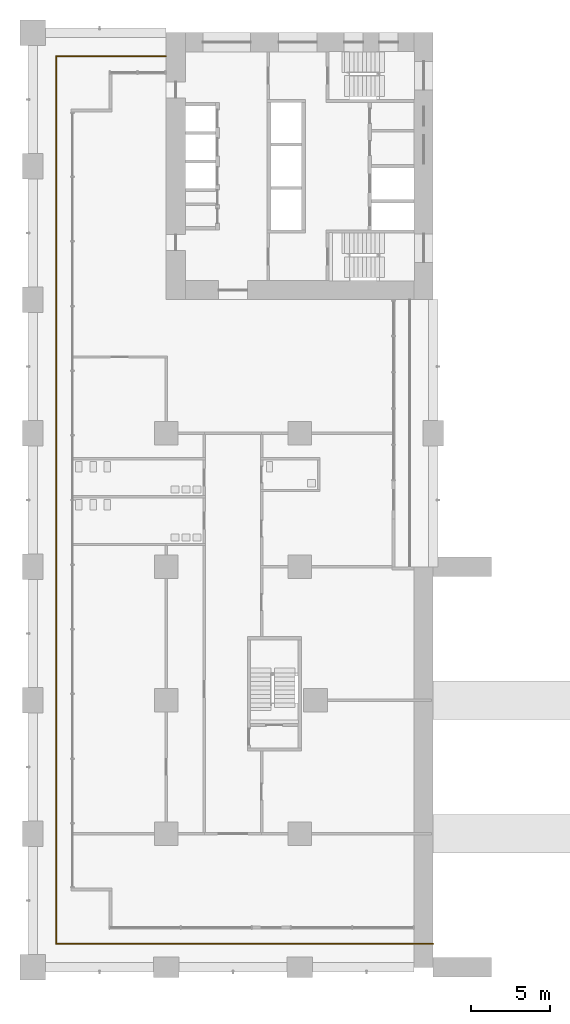
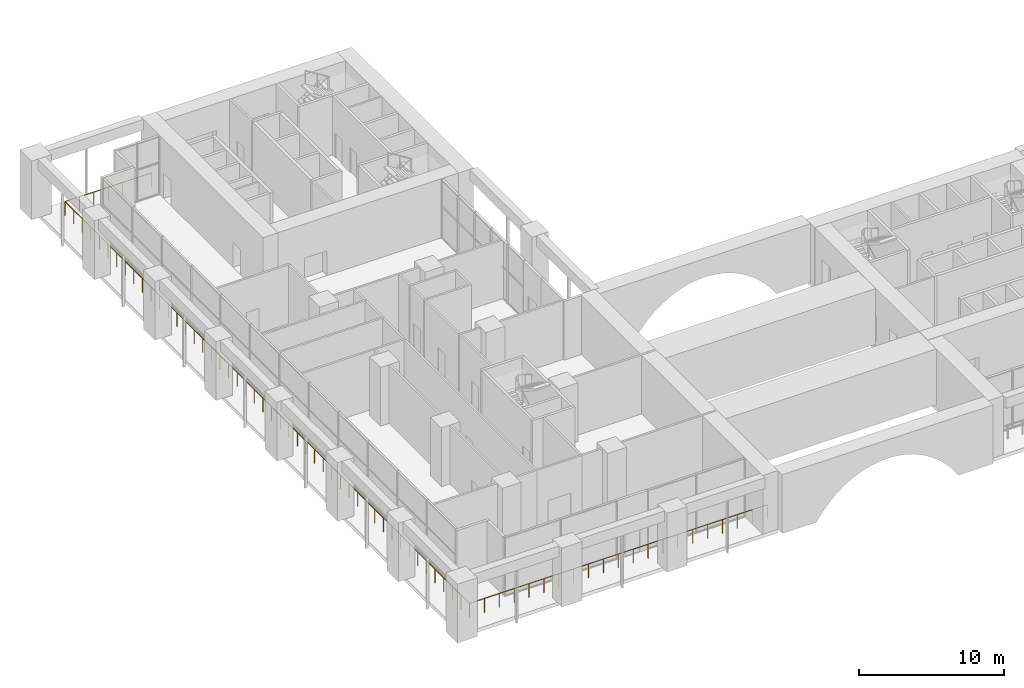
# One storey, part 20 of 26: 1 railing.
"""IFC4 building model written with IfcOpenShell, lengths in metres."""

from ifc_helpers import new_model, si_unit, direction, frame, origin, origin_2d, place, context, subcontext, project, spatial, circle, extrude, material, type_object, element, save


model = new_model("IFC4")

# Units and contexts
model_context = context("Model", 3, precision=1e-05, world=origin(), true_north=direction((0.0, 1.0)))
body_context = subcontext(model_context, "Body", "Model", "MODEL_VIEW")
ifc_project = project(units=[si_unit("LENGTHUNIT", "METRE"), si_unit("AREAUNIT", "SQUARE_METRE"), si_unit("VOLUMEUNIT", "CUBIC_METRE"), si_unit("PLANEANGLEUNIT", "RADIAN"), si_unit("MASSUNIT", "GRAM", prefix="KILO")], contexts=[model_context])

# Site, building, storey
site_placement = place(None, origin())
site = spatial("IfcSite", under=ifc_project, at=site_placement, CompositionType="ELEMENT")
building_placement = place(site_placement, origin())
building = spatial("IfcBuilding", under=site, at=building_placement, Name="Vermilion Gate Residences", CompositionType="ELEMENT")
storey_placement = place(building_placement, frame((0.0, 0.0, 9.0)))
storey = spatial("IfcBuildingStorey", under=building, at=storey_placement, Name="L01", CompositionType="ELEMENT", Elevation=9.0)

# Railing
ifc_material = material(Name="Stainless steel and toughened glass", Category="steel")
railing_type = type_object("IfcRailingType", Name="LOGGIA GUARD STEEL AND GLASS 1200", PredefinedType="GUARDRAIL", material=ifc_material)
railing_placement = place(storey_placement, frame((8.3779296875, 57.324951171875, 0.0)))
element("IfcRailing", 1, at=railing_placement, inside=storey, type_object=railing_type, Name="Loggia guard", PredefinedType="GUARDRAIL", context=body_context, shape_type="SweptSolid", body=[
    extrude(circle(Radius=0.030029296875, at=origin_2d()), frame((0.0, 0.0, 1.169921875), z_axis=(-1.0, 0.0, 0.0), x_axis=(0.0, -1.0, 0.0)), (0.0, 0.0, 1.0), 6.90283203125),
    extrude(circle(Radius=0.030029296875, at=origin_2d()), frame((-6.90283203125, 0.0, 1.169921875), z_axis=(0.0, -1.0, 0.0), x_axis=(1.0, 0.0, 0.0)), (0.0, 0.0, 1.0), 55.849853515625),
    extrude(circle(Radius=0.030029296875, at=origin_2d()), frame((-6.90283203125, -55.849853515625, 1.169921875), z_axis=(1.0, 0.0, 0.0), x_axis=(0.0, 1.0, 0.0)), (0.0, 0.0, 1.0), 23.724853515625),
    extrude(circle(Radius=0.02490234375, at=origin_2d()), origin(), (0.0, 0.0, 1.0), 1.139892578125),
    extrude(circle(Radius=0.02490234375, at=origin_2d()), frame((-1.150390625, 0.0, 0.0)), (0.0, 0.0, 1.0), 1.139892578125),
    extrude(circle(Radius=0.02490234375, at=origin_2d()), frame((-2.301025390625, 0.0, 0.0)), (0.0, 0.0, 1.0), 1.139892578125),
    extrude(circle(Radius=0.02490234375, at=origin_2d()), frame((-3.451416015625, 0.0, 0.0)), (0.0, 0.0, 1.0), 1.139892578125),
    extrude(circle(Radius=0.02490234375, at=origin_2d()), frame((-4.601806640625, 0.0, 0.0)), (0.0, 0.0, 1.0), 1.139892578125),
    extrude(circle(Radius=0.02490234375, at=origin_2d()), frame((-5.75244140625, 0.0, 0.0)), (0.0, 0.0, 1.0), 1.139892578125),
    extrude(circle(Radius=0.02490234375, at=origin_2d()), frame((-6.90283203125, 0.0, 0.0)), (0.0, 0.0, 1.0), 1.139892578125),
    extrude(circle(Radius=0.02490234375, at=origin_2d()), frame((-6.90283203125, -1.188232421875, 0.0)), (0.0, 0.0, 1.0), 1.139892578125),
    extrude(circle(Radius=0.02490234375, at=origin_2d()), frame((-6.90283203125, -2.376708984375, 0.0)), (0.0, 0.0, 1.0), 1.139892578125),
    extrude(circle(Radius=0.02490234375, at=origin_2d()), frame((-6.90283203125, -3.56494140625, 0.0)), (0.0, 0.0, 1.0), 1.139892578125),
    extrude(circle(Radius=0.02490234375, at=origin_2d()), frame((-6.90283203125, -4.753173828125, 0.0)), (0.0, 0.0, 1.0), 1.139892578125),
    extrude(circle(Radius=0.02490234375, at=origin_2d()), frame((-6.90283203125, -5.94140625, 0.0)), (0.0, 0.0, 1.0), 1.139892578125),
    extrude(circle(Radius=0.02490234375, at=origin_2d()), frame((-6.90283203125, -7.1298828125, 0.0)), (0.0, 0.0, 1.0), 1.139892578125),
    extrude(circle(Radius=0.02490234375, at=origin_2d()), frame((-6.90283203125, -8.318115234375, 0.0)), (0.0, 0.0, 1.0), 1.139892578125),
    extrude(circle(Radius=0.02490234375, at=origin_2d()), frame((-6.90283203125, -9.50634765625, 0.0)), (0.0, 0.0, 1.0), 1.139892578125),
    extrude(circle(Radius=0.02490234375, at=origin_2d()), frame((-6.90283203125, -10.694580078125, 0.0)), (0.0, 0.0, 1.0), 1.139892578125),
    extrude(circle(Radius=0.02490234375, at=origin_2d()), frame((-6.90283203125, -11.883056640625, 0.0)), (0.0, 0.0, 1.0), 1.139892578125),
    extrude(circle(Radius=0.02490234375, at=origin_2d()), frame((-6.90283203125, -13.0712890625, 0.0)), (0.0, 0.0, 1.0), 1.139892578125),
    extrude(circle(Radius=0.02490234375, at=origin_2d()), frame((-6.90283203125, -14.259521484375, 0.0)), (0.0, 0.0, 1.0), 1.139892578125),
    extrude(circle(Radius=0.02490234375, at=origin_2d()), frame((-6.90283203125, -15.44775390625, 0.0)), (0.0, 0.0, 1.0), 1.139892578125),
    extrude(circle(Radius=0.02490234375, at=origin_2d()), frame((-6.90283203125, -16.63623046875, 0.0)), (0.0, 0.0, 1.0), 1.139892578125),
    extrude(circle(Radius=0.02490234375, at=origin_2d()), frame((-6.90283203125, -17.824462890625, 0.0)), (0.0, 0.0, 1.0), 1.139892578125),
    extrude(circle(Radius=0.02490234375, at=origin_2d()), frame((-6.90283203125, -19.0126953125, 0.0)), (0.0, 0.0, 1.0), 1.139892578125),
    extrude(circle(Radius=0.02490234375, at=origin_2d()), frame((-6.90283203125, -20.200927734375, 0.0)), (0.0, 0.0, 1.0), 1.139892578125),
    extrude(circle(Radius=0.02490234375, at=origin_2d()), frame((-6.90283203125, -21.389404296875, 0.0)), (0.0, 0.0, 1.0), 1.139892578125),
    extrude(circle(Radius=0.02490234375, at=origin_2d()), frame((-6.90283203125, -22.57763671875, 0.0)), (0.0, 0.0, 1.0), 1.139892578125),
    extrude(circle(Radius=0.02490234375, at=origin_2d()), frame((-6.90283203125, -23.765869140625, 0.0)), (0.0, 0.0, 1.0), 1.139892578125),
    extrude(circle(Radius=0.02490234375, at=origin_2d()), frame((-6.90283203125, -24.9541015625, 0.0)), (0.0, 0.0, 1.0), 1.139892578125),
    extrude(circle(Radius=0.02490234375, at=origin_2d()), frame((-6.90283203125, -26.142578125, 0.0)), (0.0, 0.0, 1.0), 1.139892578125),
    extrude(circle(Radius=0.02490234375, at=origin_2d()), frame((-6.90283203125, -27.330810546875, 0.0)), (0.0, 0.0, 1.0), 1.139892578125),
    extrude(circle(Radius=0.02490234375, at=origin_2d()), frame((-6.90283203125, -28.51904296875, 0.0)), (0.0, 0.0, 1.0), 1.139892578125),
    extrude(circle(Radius=0.02490234375, at=origin_2d()), frame((-6.90283203125, -29.707275390625, 0.0)), (0.0, 0.0, 1.0), 1.139892578125),
    extrude(circle(Radius=0.02490234375, at=origin_2d()), frame((-6.90283203125, -30.895751953125, 0.0)), (0.0, 0.0, 1.0), 1.139892578125),
    extrude(circle(Radius=0.02490234375, at=origin_2d()), frame((-6.90283203125, -32.083984375, 0.0)), (0.0, 0.0, 1.0), 1.139892578125),
    extrude(circle(Radius=0.02490234375, at=origin_2d()), frame((-6.90283203125, -33.272216796875, 0.0)), (0.0, 0.0, 1.0), 1.139892578125),
    extrude(circle(Radius=0.02490234375, at=origin_2d()), frame((-6.90283203125, -34.46044921875, 0.0)), (0.0, 0.0, 1.0), 1.139892578125),
    extrude(circle(Radius=0.02490234375, at=origin_2d()), frame((-6.90283203125, -35.64892578125, 0.0)), (0.0, 0.0, 1.0), 1.139892578125),
    extrude(circle(Radius=0.02490234375, at=origin_2d()), frame((-6.90283203125, -36.837158203125, 0.0)), (0.0, 0.0, 1.0), 1.139892578125),
    extrude(circle(Radius=0.02490234375, at=origin_2d()), frame((-6.90283203125, -38.025390625, 0.0)), (0.0, 0.0, 1.0), 1.139892578125),
    extrude(circle(Radius=0.02490234375, at=origin_2d()), frame((-6.90283203125, -39.213623046875, 0.0)), (0.0, 0.0, 1.0), 1.139892578125),
    extrude(circle(Radius=0.02490234375, at=origin_2d()), frame((-6.90283203125, -40.402099609375, 0.0)), (0.0, 0.0, 1.0), 1.139892578125),
    extrude(circle(Radius=0.02490234375, at=origin_2d()), frame((-6.90283203125, -41.59033203125, 0.0)), (0.0, 0.0, 1.0), 1.139892578125),
    extrude(circle(Radius=0.02490234375, at=origin_2d()), frame((-6.90283203125, -42.778564453125, 0.0)), (0.0, 0.0, 1.0), 1.139892578125),
    extrude(circle(Radius=0.02490234375, at=origin_2d()), frame((-6.90283203125, -43.966796875, 0.0)), (0.0, 0.0, 1.0), 1.139892578125),
    extrude(circle(Radius=0.02490234375, at=origin_2d()), frame((-6.90283203125, -45.1552734375, 0.0)), (0.0, 0.0, 1.0), 1.139892578125),
    extrude(circle(Radius=0.02490234375, at=origin_2d()), frame((-6.90283203125, -46.343505859375, 0.0)), (0.0, 0.0, 1.0), 1.139892578125),
    extrude(circle(Radius=0.02490234375, at=origin_2d()), frame((-6.90283203125, -47.53173828125, 0.0)), (0.0, 0.0, 1.0), 1.139892578125),
    extrude(circle(Radius=0.02490234375, at=origin_2d()), frame((-6.90283203125, -48.719970703125, 0.0)), (0.0, 0.0, 1.0), 1.139892578125),
    extrude(circle(Radius=0.02490234375, at=origin_2d()), frame((-6.90283203125, -49.908447265625, 0.0)), (0.0, 0.0, 1.0), 1.139892578125),
    extrude(circle(Radius=0.02490234375, at=origin_2d()), frame((-6.90283203125, -51.0966796875, 0.0)), (0.0, 0.0, 1.0), 1.139892578125),
    extrude(circle(Radius=0.02490234375, at=origin_2d()), frame((-6.90283203125, -52.284912109375, 0.0)), (0.0, 0.0, 1.0), 1.139892578125),
    extrude(circle(Radius=0.02490234375, at=origin_2d()), frame((-6.90283203125, -53.47314453125, 0.0)), (0.0, 0.0, 1.0), 1.139892578125),
    extrude(circle(Radius=0.02490234375, at=origin_2d()), frame((-6.90283203125, -54.66162109375, 0.0)), (0.0, 0.0, 1.0), 1.139892578125),
    extrude(circle(Radius=0.02490234375, at=origin_2d()), frame((-6.90283203125, -55.849853515625, 0.0)), (0.0, 0.0, 1.0), 1.139892578125),
    extrude(circle(Radius=0.02490234375, at=origin_2d()), frame((-5.716552734375, -55.849853515625, 0.0)), (0.0, 0.0, 1.0), 1.139892578125),
    extrude(circle(Radius=0.02490234375, at=origin_2d()), frame((-4.5302734375, -55.849853515625, 0.0)), (0.0, 0.0, 1.0), 1.139892578125),
    extrude(circle(Radius=0.02490234375, at=origin_2d()), frame((-3.343994140625, -55.849853515625, 0.0)), (0.0, 0.0, 1.0), 1.139892578125),
    extrude(circle(Radius=0.02490234375, at=origin_2d()), frame((-2.157958984375, -55.849853515625, 0.0)), (0.0, 0.0, 1.0), 1.139892578125),
    extrude(circle(Radius=0.02490234375, at=origin_2d()), frame((-0.9716796875, -55.849853515625, 0.0)), (0.0, 0.0, 1.0), 1.139892578125),
    extrude(circle(Radius=0.02490234375, at=origin_2d()), frame((0.214599609375, -55.849853515625, 0.0)), (0.0, 0.0, 1.0), 1.139892578125),
    extrude(circle(Radius=0.02490234375, at=origin_2d()), frame((1.40087890625, -55.849853515625, 0.0)), (0.0, 0.0, 1.0), 1.139892578125),
    extrude(circle(Radius=0.02490234375, at=origin_2d()), frame((2.587158203125, -55.849853515625, 0.0)), (0.0, 0.0, 1.0), 1.139892578125),
    extrude(circle(Radius=0.02490234375, at=origin_2d()), frame((3.7734375, -55.849853515625, 0.0)), (0.0, 0.0, 1.0), 1.139892578125),
    extrude(circle(Radius=0.02490234375, at=origin_2d()), frame((4.95947265625, -55.849853515625, 0.0)), (0.0, 0.0, 1.0), 1.139892578125),
    extrude(circle(Radius=0.02490234375, at=origin_2d()), frame((6.145751953125, -55.849853515625, 0.0)), (0.0, 0.0, 1.0), 1.139892578125),
    extrude(circle(Radius=0.02490234375, at=origin_2d()), frame((7.33203125, -55.849853515625, 0.0)), (0.0, 0.0, 1.0), 1.139892578125),
    extrude(circle(Radius=0.02490234375, at=origin_2d()), frame((8.518310546875, -55.849853515625, 0.0)), (0.0, 0.0, 1.0), 1.139892578125),
    extrude(circle(Radius=0.02490234375, at=origin_2d()), frame((9.70458984375, -55.849853515625, 0.0)), (0.0, 0.0, 1.0), 1.139892578125),
    extrude(circle(Radius=0.02490234375, at=origin_2d()), frame((10.890869140625, -55.849853515625, 0.0)), (0.0, 0.0, 1.0), 1.139892578125),
    extrude(circle(Radius=0.02490234375, at=origin_2d()), frame((12.0771484375, -55.849853515625, 0.0)), (0.0, 0.0, 1.0), 1.139892578125),
    extrude(circle(Radius=0.02490234375, at=origin_2d()), frame((13.26318359375, -55.849853515625, 0.0)), (0.0, 0.0, 1.0), 1.139892578125),
    extrude(circle(Radius=0.02490234375, at=origin_2d()), frame((14.449462890625, -55.849853515625, 0.0)), (0.0, 0.0, 1.0), 1.139892578125),
    extrude(circle(Radius=0.02490234375, at=origin_2d()), frame((15.6357421875, -55.849853515625, 0.0)), (0.0, 0.0, 1.0), 1.139892578125),
    extrude(circle(Radius=0.02490234375, at=origin_2d()), frame((16.822021484375, -55.849853515625, 0.0)), (0.0, 0.0, 1.0), 1.139892578125),
])

save(model, "model.ifc")
